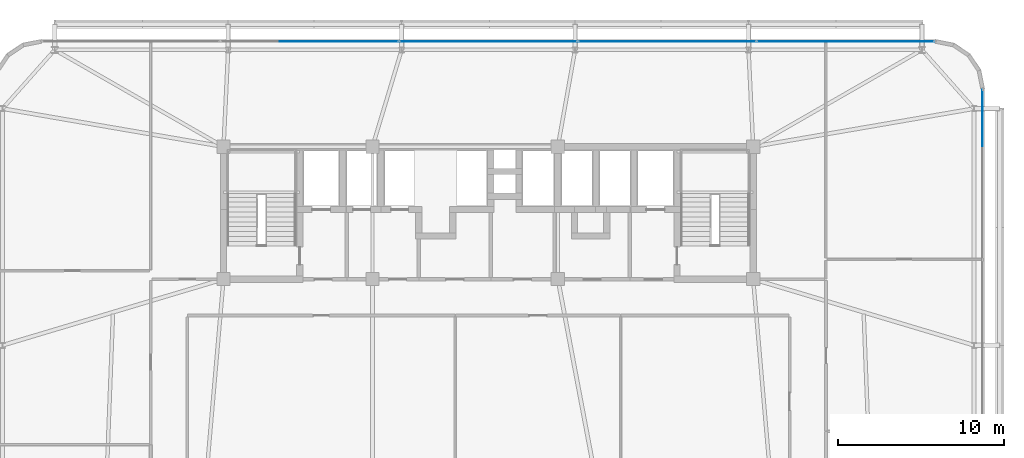
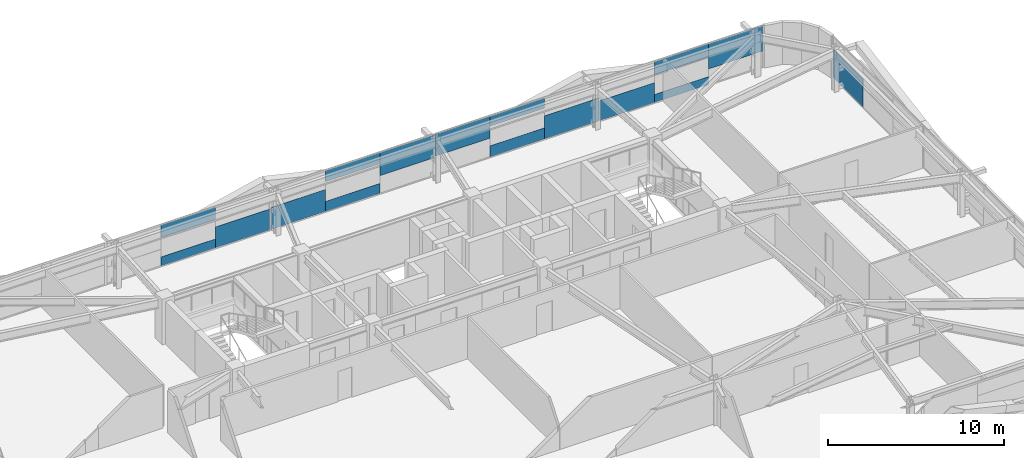
# One storey, part 30 of 44: 16 plates, 2 elements without a shape of their own.
"""IFC4 building model written with IfcOpenShell, lengths in metres."""

from ifc_helpers import new_model, si_unit, direction, frame, origin, origin_2d, place, context, subcontext, project, spatial, rectangle, extrude, source, transform, mapped, material, layer, layer_set, type_object, element, aggregate, save


model = new_model("IFC4")

# Units and contexts
model_context = context("Model", 3, precision=1e-05, world=origin(), true_north=direction((0.0, 1.0)))
body_context = subcontext(model_context, "Body", "Model", "MODEL_VIEW")
ifc_project = project(units=[si_unit("LENGTHUNIT", "METRE"), si_unit("AREAUNIT", "SQUARE_METRE"), si_unit("VOLUMEUNIT", "CUBIC_METRE"), si_unit("PLANEANGLEUNIT", "RADIAN"), si_unit("MASSUNIT", "GRAM", prefix="KILO")], contexts=[model_context])

# Site, building, storey
site_placement = place(None, origin())
site = spatial("IfcSite", under=ifc_project, at=site_placement, CompositionType="ELEMENT")
building_placement = place(site_placement, origin())
building = spatial("IfcBuilding", under=site, at=building_placement, Name="Taldren Reach Tower", CompositionType="ELEMENT")
storey_placement = place(building_placement, frame((0.0, 0.0, 38.85009765625)))
storey = spatial("IfcBuildingStorey", under=building, at=storey_placement, Name="L11", CompositionType="ELEMENT", Elevation=38.85009765625)

# Curtain wall, plates
ifc_material_1 = material(Name="Aluminium and Low-E Glass Unitised System", Category="aluminium")
ifc_layer_1 = layer(ifc_material_1, 0.159912109375)
ifc_layer_set_1 = layer_set([ifc_layer_1], Name="Aluminium and Low-E Glass Unitised System")
curtain_wall_type = type_object("IfcCurtainWallType", Name="CW-SYS-2", PredefinedType="NOTDEFINED", material=ifc_layer_set_1)
curtain_wall_1_placement = place(storey_placement, origin())
curtain_wall_1 = element("IfcCurtainWall", 1, at=curtain_wall_1_placement, inside=storey, type_object=curtain_wall_type, Name="Unitised curtain wall CW-L11-N", PredefinedType="NOTDEFINED")
ifc_material_2 = material(Name="Solar-Control Double Glazed IGU", Category="glass")
ifc_layer_2 = layer(ifc_material_2, 0.031982421875)
ifc_layer_set_2 = layer_set([ifc_layer_2], Name="Solar-Control Double Glazed IGU")
plate_type = type_object("IfcPlateType", Name="CW-PNL-IGU32", PredefinedType="CURTAIN_PANEL", material=ifc_layer_set_2)
shared_shape_1 = source(origin(), body_context, "Body", "SweptSolid", [
    extrude(rectangle(XDim=3.5673828125, YDim=0.031982421875, at=origin_2d()), origin(), (0.0, 0.0, 1.0), 1.7314453125),
])
plate_1_placement = place(storey_placement, frame((60.1513671875, 38.360107421875, 1.1435546875), z_axis=(0.0, 0.0, 1.0), x_axis=(-1.0, 0.0, 0.0)))
plate_1 = element("IfcPlate", 2, at=plate_1_placement, type_object=plate_type, Name="CW-2 panel 1.1 part 1", PredefinedType="CURTAIN_PANEL", context=body_context, shape_type="MappedRepresentation", body=[
    mapped(shared_shape_1, transform((0.0, 0.0, 0.0), scale=1.0)),
])
shared_shape_2 = source(origin(), body_context, "Body", "SweptSolid", [
    extrude(rectangle(XDim=3.5673828125, YDim=0.031982421875, at=origin_2d()), origin(), (0.0, 0.0, 1.0), 0.554931640625),
])
plate_2_placement = place(storey_placement, frame((56.583740234375, 38.360107421875, 0.05517578125), z_axis=(0.0, 0.0, 1.0), x_axis=(-1.0, 0.0, 0.0)))
plate_2 = element("IfcPlate", 3, at=plate_2_placement, type_object=plate_type, Name="CW-2 panel 1.1 part 2", PredefinedType="CURTAIN_PANEL", context=body_context, shape_type="MappedRepresentation", body=[
    mapped(shared_shape_2, transform((0.0, 0.0, 0.0), scale=1.0)),
])
shared_shape_3 = source(origin(), body_context, "Body", "SweptSolid", [
    extrude(rectangle(XDim=3.5673828125, YDim=0.031982421875, at=origin_2d()), origin(), (0.0, 0.0, 1.0), 0.904296875),
])
plate_3_placement = place(storey_placement, frame((56.583740234375, 38.360107421875, 1.970703125), z_axis=(0.0, 0.0, 1.0), x_axis=(-1.0, 0.0, 0.0)))
plate_3 = element("IfcPlate", 4, at=plate_3_placement, type_object=plate_type, Name="CW-2 panel 1.1 part 3", PredefinedType="CURTAIN_PANEL", context=body_context, shape_type="MappedRepresentation", body=[
    mapped(shared_shape_3, transform((0.0, 0.0, 0.0), scale=1.0)),
])
shared_shape_4 = source(origin(), body_context, "Body", "SweptSolid", [
    extrude(rectangle(XDim=3.5673828125, YDim=0.031982421875, at=origin_2d()), origin(), (0.0, 0.0, 1.0), 1.38232421875),
])
plate_4_placement = place(storey_placement, frame((53.016357421875, 38.360107421875, 0.054931640625), z_axis=(0.0, 0.0, 1.0), x_axis=(-1.0, 0.0, 0.0)))
plate_4 = element("IfcPlate", 5, at=plate_4_placement, type_object=plate_type, Name="CW-2 panel 1.1 part 4", PredefinedType="CURTAIN_PANEL", context=body_context, shape_type="MappedRepresentation", body=[
    mapped(shared_shape_4, transform((0.0, 0.0, 0.0), scale=1.0)),
])
shared_shape_5 = source(origin(), body_context, "Body", "SweptSolid", [
    extrude(rectangle(XDim=3.578369140625, YDim=0.031982421875, at=origin_2d()), origin(), (0.0, 0.0, 1.0), 1.602294921875),
])
plate_5_placement = place(storey_placement, frame((49.37841796875, 38.360107421875, 0.0546875), z_axis=(0.0, 0.0, 1.0), x_axis=(-1.0, 0.0, 0.0)))
plate_5 = element("IfcPlate", 6, at=plate_5_placement, type_object=plate_type, Name="CW-2 panel 2.1 part 1", PredefinedType="CURTAIN_PANEL", context=body_context, shape_type="MappedRepresentation", body=[
    mapped(shared_shape_5, transform((0.0, 0.0, 0.0), scale=1.0)),
])
shared_shape_6 = source(origin(), body_context, "Body", "SweptSolid", [
    extrude(rectangle(XDim=3.578369140625, YDim=0.031982421875, at=origin_2d()), origin(), (0.0, 0.0, 1.0), 0.7724609375),
])
plate_6_placement = place(storey_placement, frame((45.800048828125, 38.360107421875, 0.054931640625), z_axis=(0.0, 0.0, 1.0), x_axis=(-1.0, 0.0, 0.0)))
plate_6 = element("IfcPlate", 7, at=plate_6_placement, type_object=plate_type, Name="CW-2 panel 2.1 part 2", PredefinedType="CURTAIN_PANEL", context=body_context, shape_type="MappedRepresentation", body=[
    mapped(shared_shape_6, transform((0.0, 0.0, 0.0), scale=1.0)),
])
shared_shape_7 = source(origin(), body_context, "Body", "SweptSolid", [
    extrude(rectangle(XDim=3.578369140625, YDim=0.031982421875, at=origin_2d()), origin(), (0.0, 0.0, 1.0), 0.68408203125),
])
plate_7_placement = place(storey_placement, frame((45.800048828125, 38.360107421875, 2.190673828125), z_axis=(0.0, 0.0, 1.0), x_axis=(-1.0, 0.0, 0.0)))
plate_7 = element("IfcPlate", 8, at=plate_7_placement, type_object=plate_type, Name="CW-2 panel 2.1 part 3", PredefinedType="CURTAIN_PANEL", context=body_context, shape_type="MappedRepresentation", body=[
    mapped(shared_shape_7, transform((0.0, 0.0, 0.0), scale=1.0)),
])
shared_shape_8 = source(origin(), body_context, "Body", "SweptSolid", [
    extrude(rectangle(XDim=3.578369140625, YDim=0.031982421875, at=origin_2d()), origin(), (0.0, 0.0, 1.0), 1.513916015625),
])
plate_8_placement = place(storey_placement, frame((42.2216796875, 38.360107421875, 1.36083984375), z_axis=(0.0, 0.0, 1.0), x_axis=(-1.0, 0.0, 0.0)))
plate_8 = element("IfcPlate", 9, at=plate_8_placement, type_object=plate_type, Name="CW-2 panel 2.1 part 4", PredefinedType="CURTAIN_PANEL", context=body_context, shape_type="MappedRepresentation", body=[
    mapped(shared_shape_8, transform((0.0, 0.0, 0.0), scale=1.0)),
])
shared_shape_9 = source(origin(), body_context, "Body", "SweptSolid", [
    extrude(rectangle(XDim=3.578369140625, YDim=0.031982421875, at=origin_2d()), origin(), (0.0, 0.0, 1.0), 1.588134765625),
])
plate_9_placement = place(storey_placement, frame((38.578369140625, 38.360107421875, 1.28662109375), z_axis=(0.0, 0.0, 1.0), x_axis=(-1.0, 0.0, 0.0)))
plate_9 = element("IfcPlate", 10, at=plate_9_placement, type_object=plate_type, Name="CW-2 panel 3.1 part 1", PredefinedType="CURTAIN_PANEL", context=body_context, shape_type="MappedRepresentation", body=[
    mapped(shared_shape_9, transform((0.0, 0.0, 0.0), scale=1.0)),
])
shared_shape_10 = source(origin(), body_context, "Body", "SweptSolid", [
    extrude(rectangle(XDim=3.578369140625, YDim=0.031982421875, at=origin_2d()), origin(), (0.0, 0.0, 1.0), 0.698486328125),
])
plate_10_placement = place(storey_placement, frame((35.0, 38.360107421875, 0.0546875), z_axis=(0.0, 0.0, 1.0), x_axis=(-1.0, 0.0, 0.0)))
plate_10 = element("IfcPlate", 11, at=plate_10_placement, type_object=plate_type, Name="CW-2 panel 3.1 part 2", PredefinedType="CURTAIN_PANEL", context=body_context, shape_type="MappedRepresentation", body=[
    mapped(shared_shape_10, transform((0.0, 0.0, 0.0), scale=1.0)),
])
shared_shape_11 = source(origin(), body_context, "Body", "SweptSolid", [
    extrude(rectangle(XDim=3.578369140625, YDim=0.031982421875, at=origin_2d()), origin(), (0.0, 0.0, 1.0), 0.75830078125),
])
plate_11_placement = place(storey_placement, frame((35.0, 38.360107421875, 2.116455078125), z_axis=(0.0, 0.0, 1.0), x_axis=(-1.0, 0.0, 0.0)))
plate_11 = element("IfcPlate", 12, at=plate_11_placement, type_object=plate_type, Name="CW-2 panel 3.1 part 3", PredefinedType="CURTAIN_PANEL", context=body_context, shape_type="MappedRepresentation", body=[
    mapped(shared_shape_11, transform((0.0, 0.0, 0.0), scale=1.0)),
])
shared_shape_12 = source(origin(), body_context, "Body", "SweptSolid", [
    extrude(rectangle(XDim=3.578369140625, YDim=0.031982421875, at=origin_2d()), origin(), (0.0, 0.0, 1.0), 1.528076171875),
])
plate_12_placement = place(storey_placement, frame((31.421630859375, 38.360107421875, 0.0546875), z_axis=(0.0, 0.0, 1.0), x_axis=(-1.0, 0.0, 0.0)))
plate_12 = element("IfcPlate", 13, at=plate_12_placement, type_object=plate_type, Name="CW-2 panel 3.1 part 4", PredefinedType="CURTAIN_PANEL", context=body_context, shape_type="MappedRepresentation", body=[
    mapped(shared_shape_12, transform((0.0, 0.0, 0.0), scale=1.0)),
])
shared_shape_13 = source(origin(), body_context, "Body", "SweptSolid", [
    extrude(rectangle(XDim=3.578369140625, YDim=0.031982421875, at=origin_2d()), origin(), (0.0, 0.0, 1.0), 1.453857421875),
])
plate_13_placement = place(storey_placement, frame((27.7783203125, 38.360107421875, 0.0546875), z_axis=(0.0, 0.0, 1.0), x_axis=(-1.0, 0.0, 0.0)))
plate_13 = element("IfcPlate", 14, at=plate_13_placement, type_object=plate_type, Name="CW-2 panel 4.1 part 1", PredefinedType="CURTAIN_PANEL", context=body_context, shape_type="MappedRepresentation", body=[
    mapped(shared_shape_13, transform((0.0, 0.0, 0.0), scale=1.0)),
])
shared_shape_14 = source(origin(), body_context, "Body", "SweptSolid", [
    extrude(rectangle(XDim=3.578369140625, YDim=0.031982421875, at=origin_2d()), origin(), (0.0, 0.0, 1.0), 0.624267578125),
])
plate_14_placement = place(storey_placement, frame((24.199951171875, 38.360107421875, 0.0546875), z_axis=(0.0, 0.0, 1.0), x_axis=(-1.0, 0.0, 0.0)))
plate_14 = element("IfcPlate", 15, at=plate_14_placement, type_object=plate_type, Name="CW-2 panel 4.1 part 2", PredefinedType="CURTAIN_PANEL", context=body_context, shape_type="MappedRepresentation", body=[
    mapped(shared_shape_14, transform((0.0, 0.0, 0.0), scale=1.0)),
])
shared_shape_15 = source(origin(), body_context, "Body", "SweptSolid", [
    extrude(rectangle(XDim=3.578369140625, YDim=0.031982421875, at=origin_2d()), origin(), (0.0, 0.0, 1.0), 0.83251953125),
])
plate_15_placement = place(storey_placement, frame((24.199951171875, 38.360107421875, 2.042236328125), z_axis=(0.0, 0.0, 1.0), x_axis=(-1.0, 0.0, 0.0)))
plate_15 = element("IfcPlate", 16, at=plate_15_placement, type_object=plate_type, Name="CW-2 panel 4.1 part 3", PredefinedType="CURTAIN_PANEL", context=body_context, shape_type="MappedRepresentation", body=[
    mapped(shared_shape_15, transform((0.0, 0.0, 0.0), scale=1.0)),
])
aggregate(curtain_wall_1, [plate_1, plate_2, plate_3, plate_4, plate_5, plate_6, plate_7, plate_8, plate_9, plate_10, plate_11, plate_12, plate_13, plate_14, plate_15])

# Curtain wall, plate
curtain_wall_2_placement = place(storey_placement, origin())
curtain_wall_2 = element("IfcCurtainWall", 17, at=curtain_wall_2_placement, inside=storey, type_object=curtain_wall_type, Name="Unitised curtain wall CW-L11-E", PredefinedType="NOTDEFINED")
shared_shape_16 = source(origin(), body_context, "Body", "SweptSolid", [
    extrude(rectangle(XDim=3.411865234375, YDim=0.031982421875, at=origin_2d()), origin(), (0.0, 0.0, 1.0), 1.9443359375),
])
plate_16_placement = place(storey_placement, frame((64.860107421875, 33.72900390625, 0.054931640625), z_axis=(0.0, 0.0, 1.0), x_axis=(0.0, 1.0, 0.0)))
plate_16 = element("IfcPlate", 18, at=plate_16_placement, type_object=plate_type, Name="CW-2 panel 3.1 part 5", PredefinedType="CURTAIN_PANEL", context=body_context, shape_type="MappedRepresentation", body=[
    mapped(shared_shape_16, transform((0.0, 0.0, 0.0), scale=1.0)),
])
aggregate(curtain_wall_2, [plate_16])

save(model, "model.ifc")
